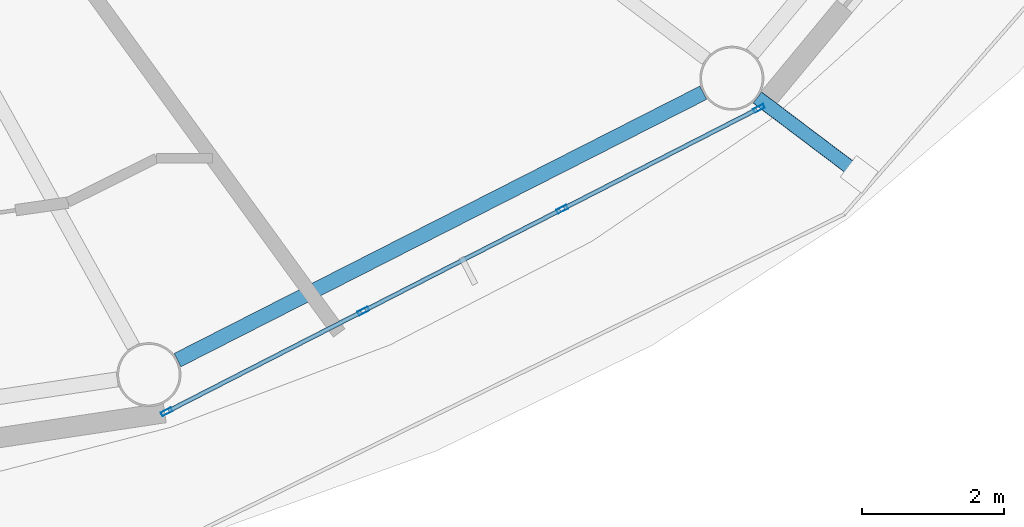
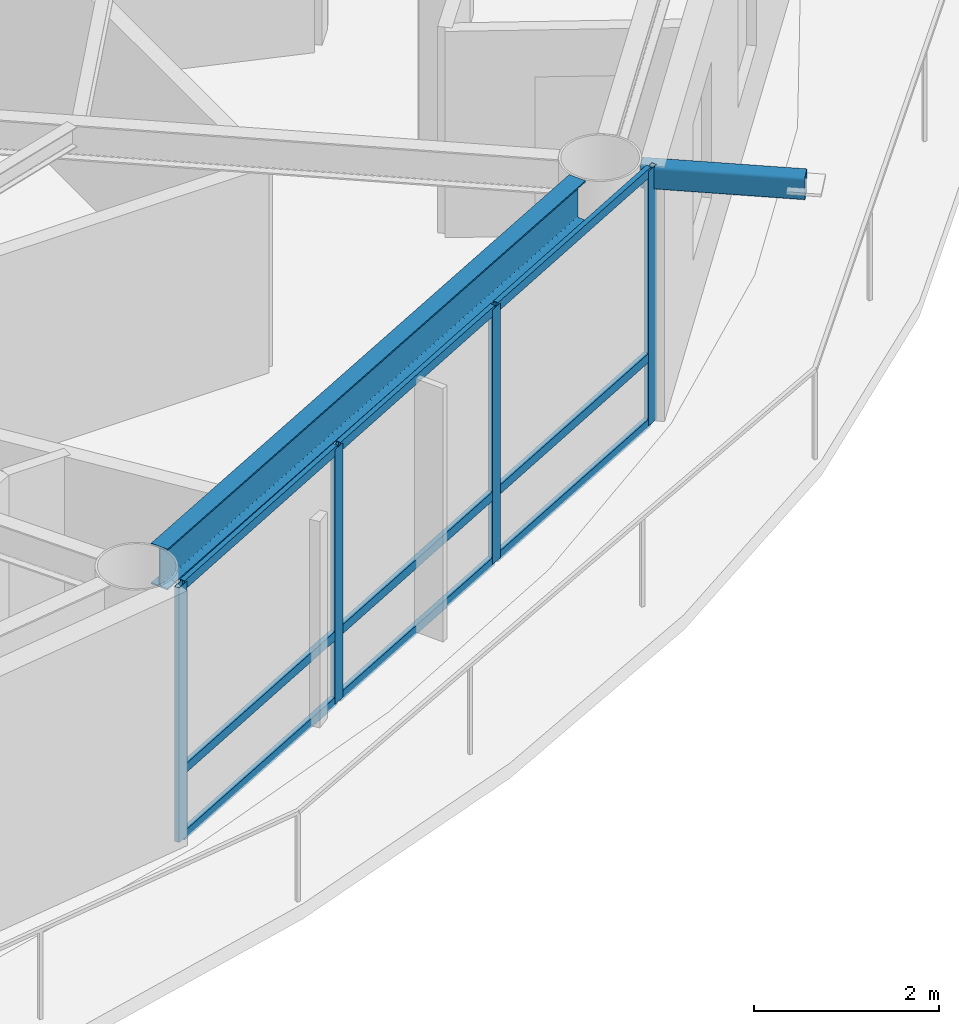
# One storey, part 5 of 23: 14 members, 1 beam, 1 element without a shape of its own.
"""IFC4 building model written with IfcOpenShell, lengths in metres."""

from ifc_helpers import new_model, si_unit, direction, frame, origin, origin_2d, place, context, subcontext, project, spatial, hollow_rectangle, i_section, extrude, material, layer, layer_set, material_profile, profile_set, type_object, element, aggregate, save


model = new_model("IFC4")

# Units and contexts
model_context = context("Model", 3, precision=1e-05, world=origin(), true_north=direction((0.0, 1.0)))
body_context = subcontext(model_context, "Body", "Model", "MODEL_VIEW")
ifc_project = project(units=[si_unit("LENGTHUNIT", "METRE"), si_unit("AREAUNIT", "SQUARE_METRE"), si_unit("VOLUMEUNIT", "CUBIC_METRE"), si_unit("PLANEANGLEUNIT", "RADIAN"), si_unit("MASSUNIT", "GRAM", prefix="KILO")], contexts=[model_context])

# Site, building, storey
site_placement = place(None, origin())
site = spatial("IfcSite", under=ifc_project, at=site_placement, CompositionType="ELEMENT")
building_placement = place(site_placement, origin())
building = spatial("IfcBuilding", under=site, at=building_placement, Name="Sarneth Arch Tower", CompositionType="ELEMENT")
storey_placement = place(building_placement, frame((0.0, 0.0, 217.199951171875)))
storey = spatial("IfcBuildingStorey", under=building, at=storey_placement, Name="L55", CompositionType="ELEMENT", Elevation=217.199951171875)

# Beam
ifc_material_1 = material(Name="Steel S355", Category="steel")
ifc_material_profile_1 = material_profile(ifc_material_1, i_section(OverallWidth=0.2109375, OverallDepth=0.5390625, WebThickness=0.01171875, FlangeThickness=0.018798828125, FilletRadius=0.01806640625, at=origin_2d()), Name="W530x109")
ifc_profile_set_1 = profile_set([ifc_material_profile_1], Name="Steel S355")
beam_type = type_object("IfcBeamType", Name="BM-RAD-530B", PredefinedType="BEAM", material=ifc_profile_set_1)
beam_placement = place(storey_placement, frame((58.19189453125, 24.465576171875, 3.090576171875), z_axis=(0.891376248079, 0.453264144138, 0.0), x_axis=(-0.453264144138, 0.891376248079, 0.0)))
element("IfcBeam", 1, at=beam_placement, inside=storey, type_object=beam_type, Name="L55 Perimeter spandrel beam 14", PredefinedType="BEAM", context=body_context, shape_type="SweptSolid", body=[
    extrude(i_section(OverallWidth=0.2109375, OverallDepth=0.5390625, WebThickness=0.01171875, FlangeThickness=0.018798828125, FilletRadius=0.01806640625, at=origin_2d()), origin(), (0.0, 0.0, 1.0), 8.281982421875),
])

# Curtain wall, members
ifc_material_2 = material(Name="Anodised aluminium Type AA25 and solar-control low-e laminated IGU", Category="aluminium")
ifc_layer = layer(ifc_material_2, 0.179931640625)
ifc_layer_set = layer_set([ifc_layer], Name="Anodised aluminium Type AA25 and solar-control low-e laminated IGU")
curtain_wall_type = type_object("IfcCurtainWallType", Name="CW-RES-HIGH", PredefinedType="NOTDEFINED", material=ifc_layer_set)
curtain_wall_placement = place(storey_placement, origin())
curtain_wall = element("IfcCurtainWall", 2, at=curtain_wall_placement, inside=storey, type_object=curtain_wall_type, Name="L55 Unitised curtain wall facet 14", PredefinedType="NOTDEFINED")
ifc_material_3 = material(Name="Anodised Aluminium 6063-T6", Category="aluminium")
ifc_material_profile_2 = material_profile(ifc_material_3, hollow_rectangle(XDim=0.06005859375, YDim=0.159912109375, WallThickness=0.00390625, at=origin_2d()), Name="AL-MULL-160x60x4")
ifc_profile_set_2 = profile_set([ifc_material_profile_2], Name="Anodised Aluminium 6063-T6")
member_type_1 = type_object("IfcMemberType", Name="CW-MULLION", PredefinedType="MULLION", material=ifc_profile_set_2)
member_1_placement = place(storey_placement, frame((58.039306640625, 23.7392578125, 0.0), z_axis=(0.0, 0.0, 1.0), x_axis=(-0.455941901753, 0.890009540525, 0.0)))
member_1 = element("IfcMember", 3, at=member_1_placement, type_object=member_type_1, Name="CW-SYS-6 mullion 1", PredefinedType="MULLION", context=body_context, shape_type="SweptSolid", body=[
    extrude(hollow_rectangle(XDim=0.06005859375, YDim=0.159912109375, WallThickness=0.00390625, at=origin_2d()), origin(), (0.0, 0.0, 1.0), 3.360107421875),
])
member_2_placement = place(storey_placement, frame((60.802490234375, 25.155029296875, 0.0), z_axis=(0.0, 0.0, 1.0), x_axis=(-0.455941901753, 0.890009540525, 0.0)))
member_2 = element("IfcMember", 4, at=member_2_placement, type_object=member_type_1, Name="CW-SYS-6 mullion 2", PredefinedType="MULLION", context=body_context, shape_type="SweptSolid", body=[
    extrude(hollow_rectangle(XDim=0.06005859375, YDim=0.159912109375, WallThickness=0.00390625, at=origin_2d()), origin(), (0.0, 0.0, 1.0), 3.360107421875),
])
member_3_placement = place(storey_placement, frame((63.592529296875, 26.584228515625, 0.0), z_axis=(0.0, 0.0, 1.0), x_axis=(-0.455941901753, 0.890009540525, 0.0)))
member_3 = element("IfcMember", 5, at=member_3_placement, type_object=member_type_1, Name="CW-SYS-6 mullion 3", PredefinedType="MULLION", context=body_context, shape_type="SweptSolid", body=[
    extrude(hollow_rectangle(XDim=0.06005859375, YDim=0.159912109375, WallThickness=0.00390625, at=origin_2d()), origin(), (0.0, 0.0, 1.0), 3.360107421875),
])
member_4_placement = place(storey_placement, frame((66.355712890625, 27.999755859375, 0.0), z_axis=(0.0, 0.0, 1.0), x_axis=(-0.455941901753, 0.890009540525, 0.0)))
member_4 = element("IfcMember", 6, at=member_4_placement, type_object=member_type_1, Name="CW-SYS-6 mullion 4", PredefinedType="MULLION", context=body_context, shape_type="SweptSolid", body=[
    extrude(hollow_rectangle(XDim=0.06005859375, YDim=0.159912109375, WallThickness=0.00390625, at=origin_2d()), origin(), (0.0, 0.0, 1.0), 3.360107421875),
])
ifc_material_4 = material(Name="Anodised Aluminium 6063-T6", Category="aluminium")
ifc_material_profile_3 = material_profile(ifc_material_4, hollow_rectangle(XDim=0.06005859375, YDim=0.1201171875, WallThickness=0.00390625, at=origin_2d()), Name="AL-TRAN-120x60x4")
ifc_profile_set_3 = profile_set([ifc_material_profile_3], Name="Anodised Aluminium 6063-T6")
member_type_2 = type_object("IfcMemberType", Name="CW-TRANSOM", PredefinedType="USERDEFINED", material=ifc_profile_set_3)
member_5_placement = place(storey_placement, frame((58.066162109375, 23.7529296875, 0.030029296875), z_axis=(0.889973523166, 0.456012201662, 0.0), x_axis=(-0.456012201662, 0.889973523166, 0.0)))
member_5 = element("IfcMember", 7, at=member_5_placement, type_object=member_type_2, Name="CW-SYS-6 transom 1.1", ObjectType="TRANSOM", PredefinedType="USERDEFINED", context=body_context, shape_type="SweptSolid", body=[
    extrude(hollow_rectangle(XDim=0.06005859375, YDim=0.1201171875, WallThickness=0.00390625, at=origin_2d()), origin(), (0.0, 0.0, 1.0), 3.044677734375),
])
member_6_placement = place(storey_placement, frame((58.066162109375, 23.7529296875, 0.900146484375), z_axis=(0.889973523166, 0.456012201662, 0.0), x_axis=(-0.456012201662, 0.889973523166, 0.0)))
member_6 = element("IfcMember", 8, at=member_6_placement, type_object=member_type_2, Name="CW-SYS-6 transom 1.2", ObjectType="TRANSOM", PredefinedType="USERDEFINED", context=body_context, shape_type="SweptSolid", body=[
    extrude(hollow_rectangle(XDim=0.06005859375, YDim=0.1201171875, WallThickness=0.00390625, at=origin_2d()), origin(), (0.0, 0.0, 1.0), 3.044677734375),
])
member_7_placement = place(storey_placement, frame((58.066162109375, 23.7529296875, 3.330078125), z_axis=(0.889973523166, 0.456012201662, 0.0), x_axis=(-0.456012201662, 0.889973523166, 0.0)))
member_7 = element("IfcMember", 9, at=member_7_placement, type_object=member_type_2, Name="CW-SYS-6 transom 1.3", ObjectType="TRANSOM", PredefinedType="USERDEFINED", context=body_context, shape_type="SweptSolid", body=[
    extrude(hollow_rectangle(XDim=0.06005859375, YDim=0.1201171875, WallThickness=0.00390625, at=origin_2d()), origin(), (0.0, 0.0, 1.0), 3.044677734375),
])
member_8_placement = place(storey_placement, frame((60.829345703125, 25.168701171875, 0.030029296875), z_axis=(0.890017432405, 0.455926496286, 0.0), x_axis=(-0.455926496286, 0.890017432405, 0.0)))
member_8 = element("IfcMember", 10, at=member_8_placement, type_object=member_type_2, Name="CW-SYS-6 transom 2.1", ObjectType="TRANSOM", PredefinedType="USERDEFINED", context=body_context, shape_type="SweptSolid", body=[
    extrude(hollow_rectangle(XDim=0.06005859375, YDim=0.1201171875, WallThickness=0.00390625, at=origin_2d()), origin(), (0.0, 0.0, 1.0), 3.07470703125),
])
member_9_placement = place(storey_placement, frame((60.829345703125, 25.168701171875, 0.900146484375), z_axis=(0.890017432405, 0.455926496286, 0.0), x_axis=(-0.455926496286, 0.890017432405, 0.0)))
member_9 = element("IfcMember", 11, at=member_9_placement, type_object=member_type_2, Name="CW-SYS-6 transom 2.2", ObjectType="TRANSOM", PredefinedType="USERDEFINED", context=body_context, shape_type="SweptSolid", body=[
    extrude(hollow_rectangle(XDim=0.06005859375, YDim=0.1201171875, WallThickness=0.00390625, at=origin_2d()), origin(), (0.0, 0.0, 1.0), 3.07470703125),
])
member_10_placement = place(storey_placement, frame((60.829345703125, 25.168701171875, 3.330078125), z_axis=(0.890017432405, 0.455926496286, 0.0), x_axis=(-0.455926496286, 0.890017432405, 0.0)))
member_10 = element("IfcMember", 12, at=member_10_placement, type_object=member_type_2, Name="CW-SYS-6 transom 2.3", ObjectType="TRANSOM", PredefinedType="USERDEFINED", context=body_context, shape_type="SweptSolid", body=[
    extrude(hollow_rectangle(XDim=0.06005859375, YDim=0.1201171875, WallThickness=0.00390625, at=origin_2d()), origin(), (0.0, 0.0, 1.0), 3.07470703125),
])
member_11_placement = place(storey_placement, frame((63.619140625, 26.597900390625, 0.030029296875), z_axis=(0.890022732705, 0.455916149384, 0.0), x_axis=(-0.455916149384, 0.890022732705, 0.0)))
member_11 = element("IfcMember", 13, at=member_11_placement, type_object=member_type_2, Name="CW-SYS-6 transom 3.1", ObjectType="TRANSOM", PredefinedType="USERDEFINED", context=body_context, shape_type="SweptSolid", body=[
    extrude(hollow_rectangle(XDim=0.06005859375, YDim=0.1201171875, WallThickness=0.00390625, at=origin_2d()), origin(), (0.0, 0.0, 1.0), 3.044921875),
])
member_12_placement = place(storey_placement, frame((63.619140625, 26.597900390625, 0.900146484375), z_axis=(0.890022732705, 0.455916149384, 0.0), x_axis=(-0.455916149384, 0.890022732705, 0.0)))
member_12 = element("IfcMember", 14, at=member_12_placement, type_object=member_type_2, Name="CW-SYS-6 transom 3.2", ObjectType="TRANSOM", PredefinedType="USERDEFINED", context=body_context, shape_type="SweptSolid", body=[
    extrude(hollow_rectangle(XDim=0.06005859375, YDim=0.1201171875, WallThickness=0.00390625, at=origin_2d()), origin(), (0.0, 0.0, 1.0), 3.044921875),
])
member_13_placement = place(storey_placement, frame((63.619140625, 26.597900390625, 3.330078125), z_axis=(0.890022732705, 0.455916149384, 0.0), x_axis=(-0.455916149384, 0.890022732705, 0.0)))
member_13 = element("IfcMember", 15, at=member_13_placement, type_object=member_type_2, Name="CW-SYS-6 transom 3.3", ObjectType="TRANSOM", PredefinedType="USERDEFINED", context=body_context, shape_type="SweptSolid", body=[
    extrude(hollow_rectangle(XDim=0.06005859375, YDim=0.1201171875, WallThickness=0.00390625, at=origin_2d()), origin(), (0.0, 0.0, 1.0), 3.044921875),
])
aggregate(curtain_wall, [member_1, member_2, member_3, member_4, member_5, member_6, member_7, member_8, member_9, member_10, member_11, member_12, member_13])

# Member
ifc_material_5 = material(Name="Steel S355", Category="steel")
ifc_material_profile_4 = material_profile(ifc_material_5, hollow_rectangle(XDim=0.199951171875, YDim=0.300048828125, WallThickness=0.012451171875, InnerFilletRadius=0.018798828125, OuterFilletRadius=0.03125, at=origin_2d()), Name="RHS300x200x12.5")
ifc_profile_set_4 = profile_set([ifc_material_profile_4], Name="Steel S355")
member_type_3 = type_object("IfcMemberType", Name="MEM-CANT-STRUT", PredefinedType="STRUT", material=ifc_profile_set_4)
member_14_placement = place(storey_placement, frame((66.334228515625, 28.15234375, 3.199951171875), z_axis=(0.797982470407, -0.602680659157, 0.0), x_axis=(0.602680659157, 0.797982470407, 0.0)))
element("IfcMember", 16, at=member_14_placement, inside=storey, type_object=member_type_3, Name="L55 Balcony cantilever bracket 15", PredefinedType="STRUT", context=body_context, shape_type="SweptSolid", body=[
    extrude(hollow_rectangle(XDim=0.199951171875, YDim=0.300048828125, WallThickness=0.012451171875, InnerFilletRadius=0.018798828125, OuterFilletRadius=0.03125, at=origin_2d()), origin(), (0.0, 0.0, 1.0), 1.7900390625),
])

save(model, "model.ifc")
